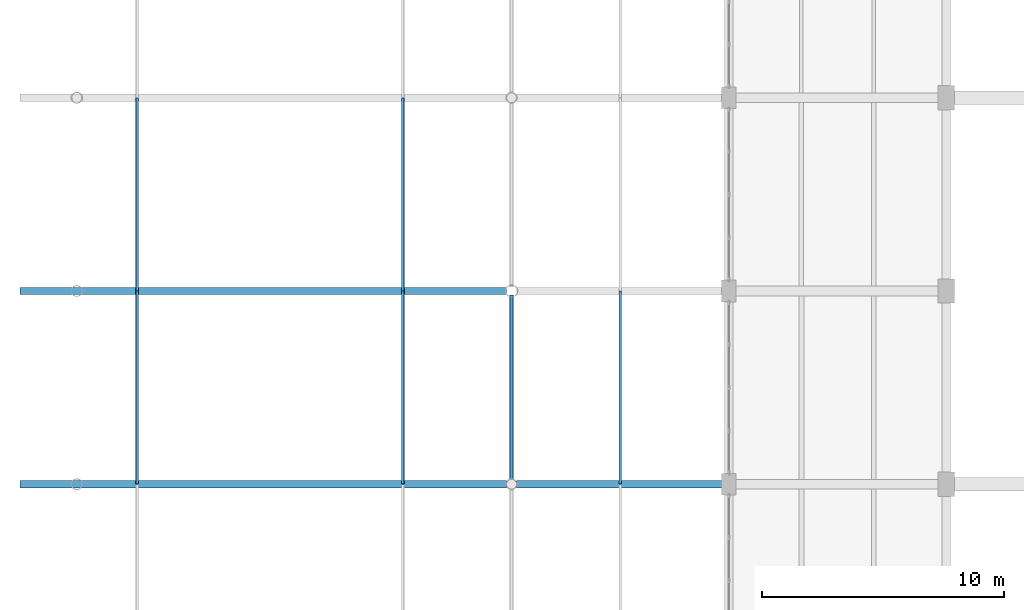
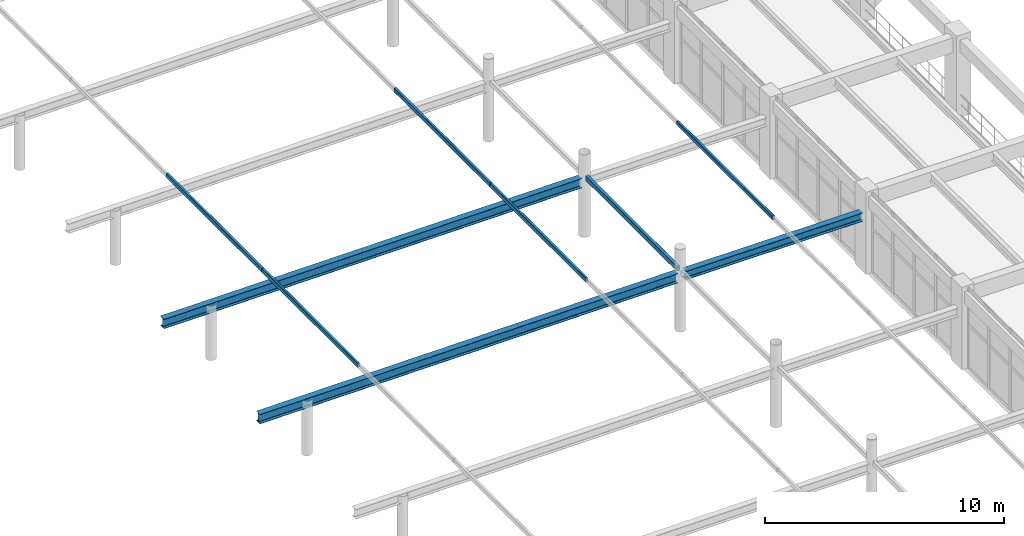
# One storey, part 35 of 148: 8 members, 1 beam.
"""IFC4 building model written with IfcOpenShell, lengths in metres."""

from ifc_helpers import new_model, si_unit, derived_unit, direction, frame, origin, origin_2d, place, context, subcontext, project, spatial, hollow_rectangle, i_section, extrude, material, material_profile, profile_set, type_object, element, save


model = new_model("IFC4")

# Units and contexts
model_context = context("Model", 3, precision=1e-05, world=origin(), true_north=direction((0.0, 1.0)))
body_context = subcontext(model_context, "Body", "Model", "MODEL_VIEW")
ifc_project = project(units=[si_unit("LENGTHUNIT", "METRE"), si_unit("AREAUNIT", "SQUARE_METRE"), si_unit("VOLUMEUNIT", "CUBIC_METRE"), si_unit("PLANEANGLEUNIT", "RADIAN"), si_unit("MASSUNIT", "GRAM", prefix="KILO"), derived_unit("THERMALTRANSMITTANCEUNIT", [(si_unit("MASSUNIT", "GRAM", prefix="KILO"), 1), (si_unit("TIMEUNIT", "SECOND"), -3), (si_unit("THERMODYNAMICTEMPERATUREUNIT", "KELVIN"), -1)])], contexts=[model_context])

# Site, building, storey
site_placement = place(None, origin())
site = spatial("IfcSite", under=ifc_project, at=site_placement, CompositionType="ELEMENT")
building_placement = place(site_placement, origin())
building = spatial("IfcBuilding", under=site, at=building_placement, Name="Zhenchuan Archway Interchange", CompositionType="ELEMENT")
storey_placement = place(building_placement, frame((0.0, 0.0, 10.199951171875)))
storey = spatial("IfcBuildingStorey", under=building, at=storey_placement, Name="L02", CompositionType="ELEMENT", Elevation=10.199951171875)

# Beam
ifc_material_1 = material(Name="Steel Q355", Category="steel")
ifc_material_profile_1 = material_profile(ifc_material_1, i_section(OverallWidth=0.300048828125, OverallDepth=0.43994140625, WebThickness=0.010986328125, FlangeThickness=0.01806640625, FilletRadius=0.02197265625, at=origin_2d()), Name="HM 440x300")
ifc_profile_set_1 = profile_set([ifc_material_profile_1], Name="Steel Q355")
beam_type = type_object("IfcBeamType", Name="BM_STL_HM440", PredefinedType="BEAM", material=ifc_profile_set_1)
beam_placement = place(storey_placement, frame((18.199951171875, 48.0, 2.75), z_axis=(1.0, 0.0, 0.0), x_axis=(0.0, 1.0, 0.0)))
element("IfcBeam", 1, at=beam_placement, inside=storey, type_object=beam_type, Name="ROOF TRUSS bus canopy T4 east bottom chord", PredefinedType="BEAM", context=body_context, shape_type="SweptSolid", body=[
    extrude(i_section(OverallWidth=0.300048828125, OverallDepth=0.43994140625, WebThickness=0.010986328125, FlangeThickness=0.01806640625, FilletRadius=0.02197265625, at=origin_2d()), origin(), (0.0, 0.0, 1.0), 8.550048828125),
])

# Members
ifc_material_2 = material(Name="Steel Q390", Category="steel")
ifc_material_profile_2 = material_profile(ifc_material_2, i_section(OverallWidth=0.300048828125, OverallDepth=0.488037109375, WebThickness=0.010986328125, FlangeThickness=0.01806640625, FilletRadius=0.02197265625, at=origin_2d()), Name="HM 488x300")
ifc_profile_set_2 = profile_set([ifc_material_profile_2], Name="Steel Q390")
member_type_1 = type_object("IfcMemberType", Name="MB_CHD_HM488", PredefinedType="CHORD", material=ifc_profile_set_2)
for number, where, z_axis, x_axis, name in (
    (2, (-2.35009765625, 48.0, 2.6201171875), (0.999979226799, 0.0, 0.006445616389), (0.0, 1.0, 0.0), "ROOF TRUSS bus canopy T4 west bottom chord"),
    (3, (-2.35009765625, 56.0, 2.6201171875), (0.999979226799, 0.0, 0.006445616389), (0.0, 1.0, 0.0), "ROOF TRUSS bus canopy T5 west bottom chord"),
):
    element("IfcMember", number, at=place(storey_placement, frame(where, z_axis=z_axis, x_axis=x_axis)), inside=storey, type_object=member_type_1, Name=name, PredefinedType="CHORD", context=body_context, shape_type="SweptSolid", body=[
        extrude(i_section(OverallWidth=0.300048828125, OverallDepth=0.488037109375, WebThickness=0.010986328125, FlangeThickness=0.01806640625, FilletRadius=0.02197265625, at=origin_2d()), origin(), (0.0, 0.0, 1.0), 20.150634765625),
    ])
ifc_material_profile_3 = material_profile(ifc_material_1, hollow_rectangle(XDim=0.1201171875, YDim=0.199951171875, WallThickness=0.008056640625, InnerFilletRadius=0.008056640625, OuterFilletRadius=0.01611328125, at=origin_2d()), Name="RHS 200x120x8")
ifc_profile_set_3 = profile_set([ifc_material_profile_3], Name="Steel Q355")
member_type_2 = type_object("IfcMemberType", Name="MB_RHS200", PredefinedType="PURLIN", material=ifc_profile_set_3)
member_1_placement = place(storey_placement, frame((22.5, 48.008056640625, 4.10009765625), z_axis=(0.0, 1.0, 0.0), x_axis=(-1.0, 0.0, 0.0)))
element("IfcMember", 4, at=member_1_placement, inside=storey, type_object=member_type_2, Name="Bus canopy roof purlin B4-P6", PredefinedType="PURLIN", context=body_context, shape_type="SweptSolid", body=[
    extrude(hollow_rectangle(XDim=0.1201171875, YDim=0.199951171875, WallThickness=0.008056640625, InnerFilletRadius=0.008056640625, OuterFilletRadius=0.01611328125, at=origin_2d()), origin(), (0.0, 0.0, 1.0), 7.98388671875),
])
ifc_material_profile_4 = material_profile(ifc_material_1, hollow_rectangle(XDim=0.1201171875, YDim=0.219970703125, WallThickness=0.008056640625, InnerFilletRadius=0.008056640625, OuterFilletRadius=0.01611328125, at=origin_2d()), Name="RHS 220x120x8")
ifc_profile_set_4 = profile_set([ifc_material_profile_4], Name="Steel Q355")
member_type_3 = type_object("IfcMemberType", Name="MB_RHS220", PredefinedType="PURLIN", material=ifc_profile_set_4)
for number, where, z_axis, x_axis, name in (
    (5, (2.5, 48.008056640625, 3.580078125), (0.0, 1.0, 0.0), (-1.0, 0.0, 0.0), "Bus canopy roof purlin B4-P1"),
    (6, (13.5, 48.008056640625, 4.080078125), (0.0, 1.0, 0.0), (-1.0, 0.0, 0.0), "Bus canopy roof purlin B4-P4"),
    (7, (2.5, 56.008056640625, 3.580078125), (0.0, 1.0, 0.0), (-1.0, 0.0, 0.0), "Bus canopy roof purlin B5-P1"),
    (8, (13.5, 56.008056640625, 4.080078125), (0.0, 1.0, 0.0), (-1.0, 0.0, 0.0), "Bus canopy roof purlin B5-P4"),
):
    element("IfcMember", number, at=place(storey_placement, frame(where, z_axis=z_axis, x_axis=x_axis)), inside=storey, type_object=member_type_3, Name=name, PredefinedType="PURLIN", context=body_context, shape_type="SweptSolid", body=[
        extrude(hollow_rectangle(XDim=0.1201171875, YDim=0.219970703125, WallThickness=0.008056640625, InnerFilletRadius=0.008056640625, OuterFilletRadius=0.01611328125, at=origin_2d()), origin(), (0.0, 0.0, 1.0), 7.98388671875),
    ])
ifc_material_profile_5 = material_profile(ifc_material_1, hollow_rectangle(XDim=0.14990234375, YDim=0.25, WallThickness=0.008056640625, InnerFilletRadius=0.008056640625, OuterFilletRadius=0.01611328125, at=origin_2d()), Name="RHS 250x150x8")
ifc_profile_set_5 = profile_set([ifc_material_profile_5], Name="Steel Q355")
member_type_4 = type_object("IfcMemberType", Name="MB_RHS250", PredefinedType="PURLIN", material=ifc_profile_set_5)
member_2_placement = place(storey_placement, frame((18.0, 48.159912109375, 3.0), z_axis=(0.0, 1.0, 0.0), x_axis=(-1.0, 0.0, 0.0)))
element("IfcMember", 9, at=member_2_placement, inside=storey, type_object=member_type_4, Name="Bus canopy roof purlin B4-P5", PredefinedType="PURLIN", context=body_context, shape_type="SweptSolid", body=[
    extrude(hollow_rectangle(XDim=0.14990234375, YDim=0.25, WallThickness=0.008056640625, InnerFilletRadius=0.008056640625, OuterFilletRadius=0.01611328125, at=origin_2d()), origin(), (0.0, 0.0, 1.0), 7.68017578125),
])

save(model, "model.ifc")
